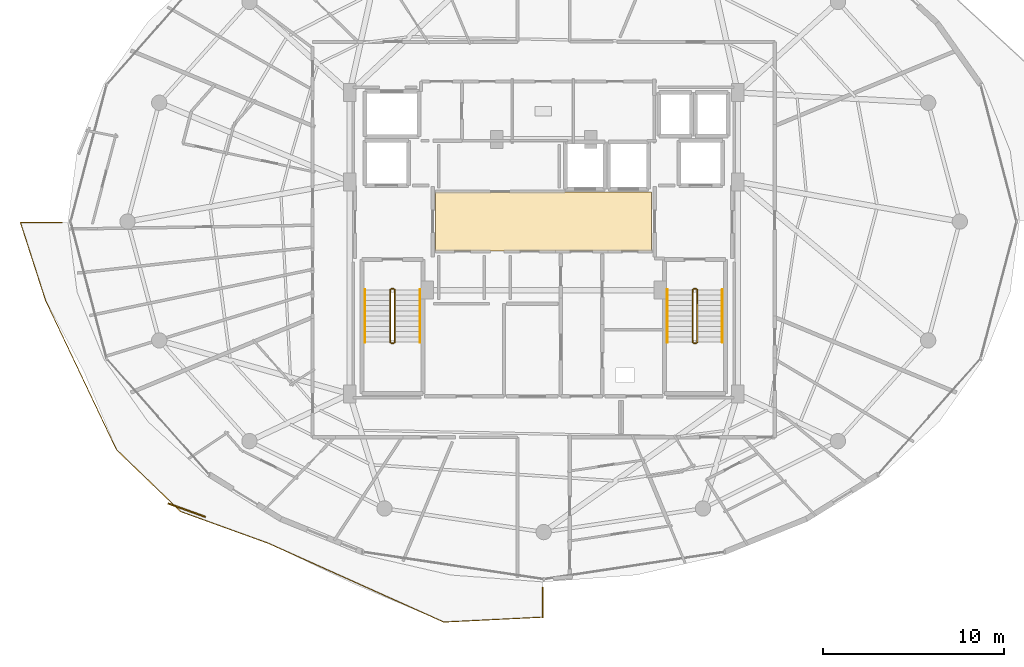
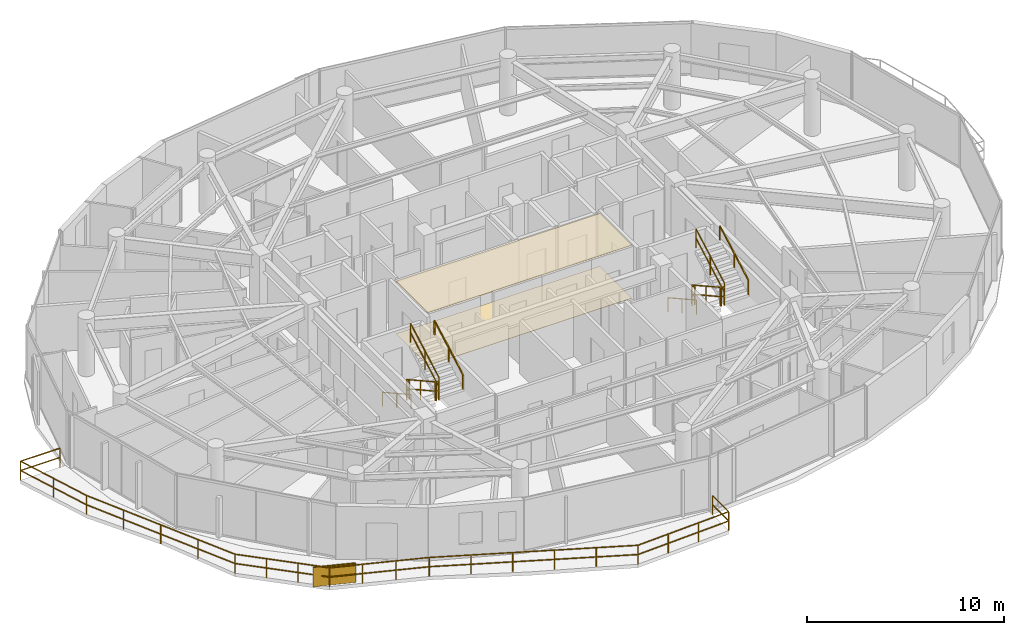
# One storey, part 28 of 30: 14 railings, 2 coverings, 1 shading device.
"""IFC4 building model written with IfcOpenShell, lengths in metres."""

from ifc_helpers import new_model, si_unit, direction, frame, origin, origin_2d, place, context, subcontext, project, spatial, polyline, rectangle, outline, extrude, material, layer, layer_set, type_object, element, save


model = new_model("IFC4")

# Units and contexts
model_context = context("Model", 3, precision=1e-05, world=origin(), true_north=direction((0.0, 1.0)))
body_context = subcontext(model_context, "Body", "Model", "MODEL_VIEW")
ifc_project = project(units=[si_unit("LENGTHUNIT", "METRE"), si_unit("AREAUNIT", "SQUARE_METRE"), si_unit("VOLUMEUNIT", "CUBIC_METRE"), si_unit("PLANEANGLEUNIT", "RADIAN"), si_unit("MASSUNIT", "GRAM", prefix="KILO")], contexts=[model_context])

# Site, building, storey
site_placement = place(None, origin())
site = spatial("IfcSite", under=ifc_project, at=site_placement, CompositionType="ELEMENT")
building_placement = place(site_placement, origin())
building = spatial("IfcBuilding", under=site, at=building_placement, Name="Vorneva Point Tower", CompositionType="ELEMENT")
storey_placement = place(building_placement, frame((0.0, 0.0, 252.0)))
storey = spatial("IfcBuildingStorey", under=building, at=storey_placement, Name="L68", CompositionType="ELEMENT", Elevation=252.0)

# Coverings
ifc_material_1 = material(Name="Perforated acoustic aluminium baffle ceiling", Category="aluminium")
ifc_layer_1 = layer(ifc_material_1, 0.030029296875)
ifc_layer_set_1 = layer_set([ifc_layer_1], Name="Perforated acoustic aluminium baffle ceiling")
covering_type_1 = type_object("IfcCoveringType", Name="COV-CEIL-BAF", PredefinedType="CEILING", material=ifc_layer_set_1)
covering_1_placement = place(storey_placement, frame((0.0, 0.0, 3.260009765625)))
element("IfcCovering", 1, at=covering_1_placement, inside=storey, type_object=covering_type_1, Name="L68 Lift Lobby Acoustic Baffle Ceiling", PredefinedType="CEILING", context=body_context, shape_type="SweptSolid", body=[
    extrude(outline(polyline([(32.02001953125, 24.3701171875), (43.97998046875, 24.3701171875), (43.97998046875, 27.6298828125), (32.02001953125, 27.6298828125), (32.02001953125, 24.3701171875)])), origin(), (0.0, 0.0, 1.0), 0.034912109375),
])
ifc_material_2 = material(Name="Acoustic wool hospitality carpet", Category="textile")
ifc_layer_2 = layer(ifc_material_2, 0.01806640625)
ifc_layer_set_2 = layer_set([ifc_layer_2], Name="Acoustic wool hospitality carpet")
covering_type_2 = type_object("IfcCoveringType", Name="COV-FLR-CRP", PredefinedType="FLOORING", material=ifc_layer_set_2)
covering_2_placement = place(storey_placement, frame((0.0, 0.0, -0.0048828125)))
element("IfcCovering", 2, at=covering_2_placement, inside=storey, type_object=covering_type_2, Name="L68 Lift Lobby Floor Finish", PredefinedType="FLOORING", context=body_context, shape_type="SweptSolid", body=[
    extrude(outline(polyline([(32.02001953125, 24.3701171875), (43.97998046875, 24.3701171875), (43.97998046875, 27.6298828125), (32.02001953125, 27.6298828125), (32.02001953125, 24.3701171875)])), origin(), (0.0, 0.0, 1.0), 0.02294921875),
])

# Railings
ifc_material_3 = material(Name="Pale anodised aluminium", Category="aluminium")
railing_type_1 = type_object("IfcRailingType", Name="RL-BAL-1200", PredefinedType="BALUSTRADE", material=ifc_material_3)
railing_1_placement = place(storey_placement, frame((37.949951171875, 4.08740234375, 0.0)))
element("IfcRailing", 3, at=railing_1_placement, inside=storey, type_object=railing_type_1, Name="L68 Wave Balcony Balustrade SW.1", PredefinedType="BALUSTRADE", context=body_context, shape_type="SweptSolid", body=[
    extrude(rectangle(XDim=0.048095703125, YDim=0.048095703125, at=origin_2d()), frame((0.0, 0.0, 1.17578125), z_axis=(0.0, 1.0, 0.0), x_axis=(-1.0, 0.0, 0.0)), (0.0, 0.0, 1.0), 1.635498046875),
    extrude(rectangle(XDim=0.048095703125, YDim=0.048095703125, at=origin_2d()), frame((0.0, 0.0, 0.60009765625), z_axis=(0.0, 1.0, 0.0), x_axis=(-1.0, 0.0, 0.0)), (0.0, 0.0, 1.0), 1.635498046875),
    extrude(rectangle(XDim=0.0419921875, YDim=0.0419921875, at=origin_2d()), origin(), (0.0, 0.0, 1.0), 1.15185546875),
    extrude(rectangle(XDim=0.0419921875, YDim=0.0419921875, at=origin_2d()), frame((0.0, 1.635498046875, 0.0)), (0.0, 0.0, 1.0), 1.15185546875),
])
railing_2_placement = place(storey_placement, frame((11.333740234375, 25.949951171875, 0.0)))
element("IfcRailing", 4, at=railing_2_placement, inside=storey, type_object=railing_type_1, Name="L68 Wave Balcony Balustrade SW.2", PredefinedType="BALUSTRADE", context=body_context, shape_type="SweptSolid", body=[
    extrude(rectangle(XDim=0.048095703125, YDim=0.048095703125, at=origin_2d()), frame((0.0, 0.0, 1.17578125), z_axis=(-1.0, 0.0, 0.0), x_axis=(0.0, -1.0, 0.0)), (0.0, 0.0, 1.0), 2.317626953125),
    extrude(rectangle(XDim=0.048095703125, YDim=0.048095703125, at=origin_2d()), frame((0.0, 0.0, 0.60009765625), z_axis=(-1.0, 0.0, 0.0), x_axis=(0.0, -1.0, 0.0)), (0.0, 0.0, 1.0), 2.317626953125),
    extrude(rectangle(XDim=0.048095703125, YDim=0.048095703125, at=origin_2d()), frame((-2.317626953125, 0.0, 1.17578125), z_axis=(0.306542143936, -0.951857086957, 0.0), x_axis=(0.951857086957, 0.306542143936, 0.0)), (0.0, 0.0, 1.0), 4.522216796875),
    extrude(rectangle(XDim=0.048095703125, YDim=0.048095703125, at=origin_2d()), frame((-2.317626953125, 0.0, 0.60009765625), z_axis=(0.306542143936, -0.951857086957, 0.0), x_axis=(0.951857086957, 0.306542143936, 0.0)), (0.0, 0.0, 1.0), 4.522216796875),
    extrude(rectangle(XDim=0.048095703125, YDim=0.048095703125, at=origin_2d()), frame((-0.931396484375, -4.304443359375, 1.17578125), z_axis=(0.429112755204, -0.903250930429, 0.0), x_axis=(0.903250930429, 0.429112755204, 0.0)), (0.0, 0.0, 1.0), 9.169189453125),
    extrude(rectangle(XDim=0.048095703125, YDim=0.048095703125, at=origin_2d()), frame((-0.931396484375, -4.304443359375, 0.60009765625), z_axis=(0.429112755204, -0.903250930429, 0.0), x_axis=(0.903250930429, 0.429112755204, 0.0)), (0.0, 0.0, 1.0), 9.169189453125),
    extrude(rectangle(XDim=0.048095703125, YDim=0.048095703125, at=origin_2d()), frame((3.003173828125, -12.58642578125, 1.17578125), z_axis=(0.71996871412, -0.694006520638, 0.0), x_axis=(0.694006520638, 0.71996871412, 0.0)), (0.0, 0.0, 1.0), 4.93701171875),
    extrude(rectangle(XDim=0.048095703125, YDim=0.048095703125, at=origin_2d()), frame((3.003173828125, -12.58642578125, 0.60009765625), z_axis=(0.71996871412, -0.694006520638, 0.0), x_axis=(0.694006520638, 0.71996871412, 0.0)), (0.0, 0.0, 1.0), 4.93701171875),
    extrude(rectangle(XDim=0.048095703125, YDim=0.048095703125, at=origin_2d()), frame((6.5576171875, -16.0126953125, 1.17578125), z_axis=(0.940432896027, -0.339979364184, 0.0), x_axis=(0.339979364184, 0.940432896027, 0.0)), (0.0, 0.0, 1.0), 5.158935546875),
    extrude(rectangle(XDim=0.048095703125, YDim=0.048095703125, at=origin_2d()), frame((6.5576171875, -16.0126953125, 0.60009765625), z_axis=(0.940432896027, -0.339979364184, 0.0), x_axis=(0.339979364184, 0.940432896027, 0.0)), (0.0, 0.0, 1.0), 5.158935546875),
    extrude(rectangle(XDim=0.048095703125, YDim=0.048095703125, at=origin_2d()), frame((11.4091796875, -17.7666015625, 1.17578125), z_axis=(0.912226387749, -0.409686486835, 0.0), x_axis=(0.409686486835, 0.912226387749, 0.0)), (0.0, 0.0, 1.0), 10.6591796875),
    extrude(rectangle(XDim=0.048095703125, YDim=0.048095703125, at=origin_2d()), frame((11.4091796875, -17.7666015625, 0.60009765625), z_axis=(0.912226387749, -0.409686486835, 0.0), x_axis=(0.409686486835, 0.912226387749, 0.0)), (0.0, 0.0, 1.0), 10.6591796875),
    extrude(rectangle(XDim=0.048095703125, YDim=0.048095703125, at=origin_2d()), frame((21.1328125, -22.133544921875, 1.17578125), z_axis=(0.99878100538, 0.049360949064, 0.0), x_axis=(-0.049360949064, 0.99878100538, 0.0)), (0.0, 0.0, 1.0), 5.489990234375),
    extrude(rectangle(XDim=0.048095703125, YDim=0.048095703125, at=origin_2d()), frame((21.1328125, -22.133544921875, 0.60009765625), z_axis=(0.99878100538, 0.049360949064, 0.0), x_axis=(-0.049360949064, 0.99878100538, 0.0)), (0.0, 0.0, 1.0), 5.489990234375),
    extrude(rectangle(XDim=0.0419921875, YDim=0.0419921875, at=origin_2d()), origin(), (0.0, 0.0, 1.0), 1.15185546875),
    extrude(rectangle(XDim=0.0419921875, YDim=0.0419921875, at=origin_2d()), frame((-2.317626953125, 0.0, 0.0)), (0.0, 0.0, 1.0), 1.15185546875),
    extrude(rectangle(XDim=0.0419921875, YDim=0.0419921875, at=origin_2d()), frame((-1.62451171875, -2.15234375, 0.0)), (0.0, 0.0, 1.0), 1.15185546875),
    extrude(rectangle(XDim=0.0419921875, YDim=0.0419921875, at=origin_2d()), frame((-0.931396484375, -4.304443359375, 0.0)), (0.0, 0.0, 1.0), 1.15185546875),
    extrude(rectangle(XDim=0.0419921875, YDim=0.0419921875, at=origin_2d()), frame((0.05224609375, -6.375, 0.0)), (0.0, 0.0, 1.0), 1.15185546875),
    extrude(rectangle(XDim=0.0419921875, YDim=0.0419921875, at=origin_2d()), frame((1.035888671875, -8.4453125, 0.0)), (0.0, 0.0, 1.0), 1.15185546875),
    extrude(rectangle(XDim=0.0419921875, YDim=0.0419921875, at=origin_2d()), frame((2.01953125, -10.515869140625, 0.0)), (0.0, 0.0, 1.0), 1.15185546875),
    extrude(rectangle(XDim=0.0419921875, YDim=0.0419921875, at=origin_2d()), frame((3.003173828125, -12.58642578125, 0.0)), (0.0, 0.0, 1.0), 1.15185546875),
    extrude(rectangle(XDim=0.0419921875, YDim=0.0419921875, at=origin_2d()), frame((4.18798828125, -13.728515625, 0.0)), (0.0, 0.0, 1.0), 1.15185546875),
    extrude(rectangle(XDim=0.0419921875, YDim=0.0419921875, at=origin_2d()), frame((5.372802734375, -14.87060546875, 0.0)), (0.0, 0.0, 1.0), 1.15185546875),
    extrude(rectangle(XDim=0.0419921875, YDim=0.0419921875, at=origin_2d()), frame((6.5576171875, -16.0126953125, 0.0)), (0.0, 0.0, 1.0), 1.15185546875),
    extrude(rectangle(XDim=0.0419921875, YDim=0.0419921875, at=origin_2d()), frame((8.1748046875, -16.597412109375, 0.0)), (0.0, 0.0, 1.0), 1.15185546875),
    extrude(rectangle(XDim=0.0419921875, YDim=0.0419921875, at=origin_2d()), frame((9.7919921875, -17.181884765625, 0.0)), (0.0, 0.0, 1.0), 1.15185546875),
    extrude(rectangle(XDim=0.0419921875, YDim=0.0419921875, at=origin_2d()), frame((11.4091796875, -17.7666015625, 0.0)), (0.0, 0.0, 1.0), 1.15185546875),
    extrude(rectangle(XDim=0.0419921875, YDim=0.0419921875, at=origin_2d()), frame((13.35400390625, -18.639892578125, 0.0)), (0.0, 0.0, 1.0), 1.15185546875),
    extrude(rectangle(XDim=0.0419921875, YDim=0.0419921875, at=origin_2d()), frame((15.298583984375, -19.513427734375, 0.0)), (0.0, 0.0, 1.0), 1.15185546875),
    extrude(rectangle(XDim=0.0419921875, YDim=0.0419921875, at=origin_2d()), frame((17.243408203125, -20.38671875, 0.0)), (0.0, 0.0, 1.0), 1.15185546875),
    extrude(rectangle(XDim=0.0419921875, YDim=0.0419921875, at=origin_2d()), frame((19.18798828125, -21.26025390625, 0.0)), (0.0, 0.0, 1.0), 1.15185546875),
    extrude(rectangle(XDim=0.0419921875, YDim=0.0419921875, at=origin_2d()), frame((21.1328125, -22.133544921875, 0.0)), (0.0, 0.0, 1.0), 1.15185546875),
    extrude(rectangle(XDim=0.0419921875, YDim=0.0419921875, at=origin_2d()), frame((22.960693359375, -22.043212890625, 0.0)), (0.0, 0.0, 1.0), 1.15185546875),
    extrude(rectangle(XDim=0.0419921875, YDim=0.0419921875, at=origin_2d()), frame((24.788330078125, -21.952880859375, 0.0)), (0.0, 0.0, 1.0), 1.15185546875),
    extrude(rectangle(XDim=0.0419921875, YDim=0.0419921875, at=origin_2d()), frame((26.6162109375, -21.862548828125, 0.0)), (0.0, 0.0, 1.0), 1.15185546875),
])
ifc_material_4 = material(Name="Brushed stainless steel S304", Category="steel")
railing_type_2 = type_object("IfcRailingType", Name="RL-HND-920", PredefinedType="HANDRAIL", material=ifc_material_4)
railing_3_placement = place(storey_placement, frame((28.10009765625, 22.219970703125, 0.161376953125)))
element("IfcRailing", 5, at=railing_3_placement, inside=storey, type_object=railing_type_2, Name="L68 ST1 stair handrail 1", PredefinedType="HANDRAIL", context=body_context, shape_type="SweptSolid", body=[
    extrude(rectangle(XDim=0.048095703125, YDim=0.048095703125, at=origin_2d()), frame((0.0, 0.0, 0.8759765625), z_axis=(0.0, -0.873841303929, 0.486211245805), x_axis=(1.0, 0.0, 0.0)), (0.0, 0.0, 1.0), 3.318603515625),
    extrude(rectangle(XDim=0.0419921875, YDim=0.0419921875, at=origin_2d()), origin(), (0.0, 0.0, 1.0), 0.851806640625),
    extrude(rectangle(XDim=0.0419921875, YDim=0.0419921875, at=origin_2d()), frame((0.0, -1.449951171875, 0.806640625)), (0.0, 0.0, 1.0), 0.851806640625),
    extrude(rectangle(XDim=0.0419921875, YDim=0.0419921875, at=origin_2d()), frame((0.0, -2.89990234375, 1.613525390625)), (0.0, 0.0, 1.0), 0.851806640625),
])
railing_4_placement = place(storey_placement, frame((31.14990234375, 19.320068359375, 1.936279296875)))
element("IfcRailing", 6, at=railing_4_placement, inside=storey, type_object=railing_type_2, Name="L68 ST1 stair handrail 2", PredefinedType="HANDRAIL", context=body_context, shape_type="SweptSolid", body=[
    extrude(rectangle(XDim=0.048095703125, YDim=0.048095703125, at=origin_2d()), frame((0.0, 0.0, 0.8759765625), z_axis=(0.0, 0.873810046276, 0.486267419253), x_axis=(-1.0, 0.0, 0.0)), (0.0, 0.0, 1.0), 3.318603515625),
    extrude(rectangle(XDim=0.0419921875, YDim=0.0419921875, at=origin_2d()), origin(), (0.0, 0.0, 1.0), 0.851806640625),
    extrude(rectangle(XDim=0.0419921875, YDim=0.0419921875, at=origin_2d()), frame((0.0, 1.449951171875, 0.806884765625)), (0.0, 0.0, 1.0), 0.851806640625),
    extrude(rectangle(XDim=0.0419921875, YDim=0.0419921875, at=origin_2d()), frame((0.0, 2.89990234375, 1.61376953125)), (0.0, 0.0, 1.0), 0.851806640625),
])
railing_5_placement = place(storey_placement, frame((44.85009765625, 22.219970703125, 0.161376953125)))
element("IfcRailing", 7, at=railing_5_placement, inside=storey, type_object=railing_type_2, Name="L68 ST2 stair handrail 1", PredefinedType="HANDRAIL", context=body_context, shape_type="SweptSolid", body=[
    extrude(rectangle(XDim=0.048095703125, YDim=0.048095703125, at=origin_2d()), frame((0.0, 0.0, 0.8759765625), z_axis=(0.0, -0.873841303929, 0.486211245805), x_axis=(1.0, 0.0, 0.0)), (0.0, 0.0, 1.0), 3.318603515625),
    extrude(rectangle(XDim=0.0419921875, YDim=0.0419921875, at=origin_2d()), origin(), (0.0, 0.0, 1.0), 0.851806640625),
    extrude(rectangle(XDim=0.0419921875, YDim=0.0419921875, at=origin_2d()), frame((0.0, -1.449951171875, 0.806640625)), (0.0, 0.0, 1.0), 0.851806640625),
    extrude(rectangle(XDim=0.0419921875, YDim=0.0419921875, at=origin_2d()), frame((0.0, -2.89990234375, 1.613525390625)), (0.0, 0.0, 1.0), 0.851806640625),
])
railing_6_placement = place(storey_placement, frame((47.89990234375, 19.320068359375, 1.936279296875)))
element("IfcRailing", 8, at=railing_6_placement, inside=storey, type_object=railing_type_2, Name="L68 ST2 stair handrail 2", PredefinedType="HANDRAIL", context=body_context, shape_type="SweptSolid", body=[
    extrude(rectangle(XDim=0.048095703125, YDim=0.048095703125, at=origin_2d()), frame((0.0, 0.0, 0.8759765625), z_axis=(0.0, 0.873810046276, 0.486267419253), x_axis=(-1.0, 0.0, 0.0)), (0.0, 0.0, 1.0), 3.318603515625),
    extrude(rectangle(XDim=0.0419921875, YDim=0.0419921875, at=origin_2d()), origin(), (0.0, 0.0, 1.0), 0.851806640625),
    extrude(rectangle(XDim=0.0419921875, YDim=0.0419921875, at=origin_2d()), frame((0.0, 1.449951171875, 0.806884765625)), (0.0, 0.0, 1.0), 0.851806640625),
    extrude(rectangle(XDim=0.0419921875, YDim=0.0419921875, at=origin_2d()), frame((0.0, 2.89990234375, 1.61376953125)), (0.0, 0.0, 1.0), 0.851806640625),
])
railing_type_3 = type_object("IfcRailingType", Name="RL-STG-1100", PredefinedType="GUARDRAIL", material=ifc_material_4)
railing_7_placement = place(storey_placement, frame((29.5, 22.219970703125, 0.161376953125)))
element("IfcRailing", 9, at=railing_7_placement, inside=storey, type_object=railing_type_3, Name="L68 ST1 stair guard 1", PredefinedType="GUARDRAIL", context=body_context, shape_type="SweptSolid", body=[
    extrude(rectangle(XDim=0.048095703125, YDim=0.048095703125, at=origin_2d()), frame((0.0, 0.0, 1.17578125), z_axis=(0.0, -0.873841303929, 0.486211245805), x_axis=(1.0, 0.0, 0.0)), (0.0, 0.0, 1.0), 3.318603515625),
    extrude(rectangle(XDim=0.048095703125, YDim=0.048095703125, at=origin_2d()), frame((0.0, 0.0, 0.60009765625), z_axis=(0.0, -0.873841303929, 0.486211245805), x_axis=(1.0, 0.0, 0.0)), (0.0, 0.0, 1.0), 3.318603515625),
    extrude(rectangle(XDim=0.0419921875, YDim=0.0419921875, at=origin_2d()), origin(), (0.0, 0.0, 1.0), 1.15185546875),
    extrude(rectangle(XDim=0.0419921875, YDim=0.0419921875, at=origin_2d()), frame((0.0, -1.449951171875, 0.806640625)), (0.0, 0.0, 1.0), 1.15185546875),
    extrude(rectangle(XDim=0.0419921875, YDim=0.0419921875, at=origin_2d()), frame((0.0, -2.89990234375, 1.613525390625)), (0.0, 0.0, 1.0), 1.15185546875),
])
railing_8_placement = place(storey_placement, frame((29.550048828125, 19.27001953125, 1.77490234375)))
element("IfcRailing", 10, at=railing_8_placement, inside=storey, type_object=railing_type_3, Name="L68 ST1 stair guard 2", PredefinedType="GUARDRAIL", context=body_context, shape_type="SweptSolid", body=[
    extrude(rectangle(XDim=0.048095703125, YDim=0.048095703125, at=origin_2d()), frame((0.0, 0.0, 1.17578125), z_axis=(1.0, 0.0, 0.0), x_axis=(0.0, 1.0, 0.0)), (0.0, 0.0, 1.0), 0.14990234375),
    extrude(rectangle(XDim=0.048095703125, YDim=0.048095703125, at=origin_2d()), frame((0.0, 0.0, 0.60009765625), z_axis=(1.0, 0.0, 0.0), x_axis=(0.0, 1.0, 0.0)), (0.0, 0.0, 1.0), 0.14990234375),
    extrude(rectangle(XDim=0.0419921875, YDim=0.0419921875, at=origin_2d()), origin(), (0.0, 0.0, 1.0), 1.15185546875),
    extrude(rectangle(XDim=0.0419921875, YDim=0.0419921875, at=origin_2d()), frame((0.14990234375, 0.0, 0.0)), (0.0, 0.0, 1.0), 1.15185546875),
])
railing_9_placement = place(storey_placement, frame((29.75, 19.320068359375, 1.936279296875)))
element("IfcRailing", 11, at=railing_9_placement, inside=storey, type_object=railing_type_3, Name="L68 ST1 stair guard 3", PredefinedType="GUARDRAIL", context=body_context, shape_type="SweptSolid", body=[
    extrude(rectangle(XDim=0.048095703125, YDim=0.048095703125, at=origin_2d()), frame((0.0, 0.0, 1.17578125), z_axis=(0.0, 0.873810046276, 0.486267419253), x_axis=(-1.0, 0.0, 0.0)), (0.0, 0.0, 1.0), 3.318603515625),
    extrude(rectangle(XDim=0.048095703125, YDim=0.048095703125, at=origin_2d()), frame((0.0, 0.0, 0.60009765625), z_axis=(0.0, 0.873810046276, 0.486267419253), x_axis=(-1.0, 0.0, 0.0)), (0.0, 0.0, 1.0), 3.318603515625),
    extrude(rectangle(XDim=0.0419921875, YDim=0.0419921875, at=origin_2d()), origin(), (0.0, 0.0, 1.0), 1.15185546875),
    extrude(rectangle(XDim=0.0419921875, YDim=0.0419921875, at=origin_2d()), frame((0.0, 1.449951171875, 0.806884765625)), (0.0, 0.0, 1.0), 1.15185546875),
    extrude(rectangle(XDim=0.0419921875, YDim=0.0419921875, at=origin_2d()), frame((0.0, 2.89990234375, 1.61376953125)), (0.0, 0.0, 1.0), 1.15185546875),
])
railing_10_placement = place(storey_placement, frame((29.550048828125, 22.27001953125, 0.0)))
element("IfcRailing", 12, at=railing_10_placement, inside=storey, type_object=railing_type_3, Name="L68 ST1 stair guard 4", PredefinedType="GUARDRAIL", context=body_context, shape_type="SweptSolid", body=[
    extrude(rectangle(XDim=0.048095703125, YDim=0.048095703125, at=origin_2d()), frame((0.0, 0.0, 1.17578125), z_axis=(1.0, 0.0, 0.0), x_axis=(0.0, 1.0, 0.0)), (0.0, 0.0, 1.0), 0.14990234375),
    extrude(rectangle(XDim=0.048095703125, YDim=0.048095703125, at=origin_2d()), frame((0.0, 0.0, 0.60009765625), z_axis=(1.0, 0.0, 0.0), x_axis=(0.0, 1.0, 0.0)), (0.0, 0.0, 1.0), 0.14990234375),
    extrude(rectangle(XDim=0.0419921875, YDim=0.0419921875, at=origin_2d()), origin(), (0.0, 0.0, 1.0), 1.15185546875),
    extrude(rectangle(XDim=0.0419921875, YDim=0.0419921875, at=origin_2d()), frame((0.14990234375, 0.0, 0.0)), (0.0, 0.0, 1.0), 1.15185546875),
])
railing_11_placement = place(storey_placement, frame((46.25, 22.219970703125, 0.161376953125)))
element("IfcRailing", 13, at=railing_11_placement, inside=storey, type_object=railing_type_3, Name="L68 ST2 stair guard 1", PredefinedType="GUARDRAIL", context=body_context, shape_type="SweptSolid", body=[
    extrude(rectangle(XDim=0.048095703125, YDim=0.048095703125, at=origin_2d()), frame((0.0, 0.0, 1.17578125), z_axis=(0.0, -0.873841303929, 0.486211245805), x_axis=(1.0, 0.0, 0.0)), (0.0, 0.0, 1.0), 3.318603515625),
    extrude(rectangle(XDim=0.048095703125, YDim=0.048095703125, at=origin_2d()), frame((0.0, 0.0, 0.60009765625), z_axis=(0.0, -0.873841303929, 0.486211245805), x_axis=(1.0, 0.0, 0.0)), (0.0, 0.0, 1.0), 3.318603515625),
    extrude(rectangle(XDim=0.0419921875, YDim=0.0419921875, at=origin_2d()), origin(), (0.0, 0.0, 1.0), 1.15185546875),
    extrude(rectangle(XDim=0.0419921875, YDim=0.0419921875, at=origin_2d()), frame((0.0, -1.449951171875, 0.806640625)), (0.0, 0.0, 1.0), 1.15185546875),
    extrude(rectangle(XDim=0.0419921875, YDim=0.0419921875, at=origin_2d()), frame((0.0, -2.89990234375, 1.613525390625)), (0.0, 0.0, 1.0), 1.15185546875),
])
railing_12_placement = place(storey_placement, frame((46.300048828125, 19.27001953125, 1.77490234375)))
element("IfcRailing", 14, at=railing_12_placement, inside=storey, type_object=railing_type_3, Name="L68 ST2 stair guard 2", PredefinedType="GUARDRAIL", context=body_context, shape_type="SweptSolid", body=[
    extrude(rectangle(XDim=0.048095703125, YDim=0.048095703125, at=origin_2d()), frame((0.0, 0.0, 1.17578125), z_axis=(1.0, 0.0, 0.0), x_axis=(0.0, 1.0, 0.0)), (0.0, 0.0, 1.0), 0.14990234375),
    extrude(rectangle(XDim=0.048095703125, YDim=0.048095703125, at=origin_2d()), frame((0.0, 0.0, 0.60009765625), z_axis=(1.0, 0.0, 0.0), x_axis=(0.0, 1.0, 0.0)), (0.0, 0.0, 1.0), 0.14990234375),
    extrude(rectangle(XDim=0.0419921875, YDim=0.0419921875, at=origin_2d()), origin(), (0.0, 0.0, 1.0), 1.15185546875),
    extrude(rectangle(XDim=0.0419921875, YDim=0.0419921875, at=origin_2d()), frame((0.14990234375, 0.0, 0.0)), (0.0, 0.0, 1.0), 1.15185546875),
])
railing_13_placement = place(storey_placement, frame((46.5, 19.320068359375, 1.936279296875)))
element("IfcRailing", 15, at=railing_13_placement, inside=storey, type_object=railing_type_3, Name="L68 ST2 stair guard 3", PredefinedType="GUARDRAIL", context=body_context, shape_type="SweptSolid", body=[
    extrude(rectangle(XDim=0.048095703125, YDim=0.048095703125, at=origin_2d()), frame((0.0, 0.0, 1.17578125), z_axis=(0.0, 0.873810046276, 0.486267419253), x_axis=(-1.0, 0.0, 0.0)), (0.0, 0.0, 1.0), 3.318603515625),
    extrude(rectangle(XDim=0.048095703125, YDim=0.048095703125, at=origin_2d()), frame((0.0, 0.0, 0.60009765625), z_axis=(0.0, 0.873810046276, 0.486267419253), x_axis=(-1.0, 0.0, 0.0)), (0.0, 0.0, 1.0), 3.318603515625),
    extrude(rectangle(XDim=0.0419921875, YDim=0.0419921875, at=origin_2d()), origin(), (0.0, 0.0, 1.0), 1.15185546875),
    extrude(rectangle(XDim=0.0419921875, YDim=0.0419921875, at=origin_2d()), frame((0.0, 1.449951171875, 0.806884765625)), (0.0, 0.0, 1.0), 1.15185546875),
    extrude(rectangle(XDim=0.0419921875, YDim=0.0419921875, at=origin_2d()), frame((0.0, 2.89990234375, 1.61376953125)), (0.0, 0.0, 1.0), 1.15185546875),
])
railing_14_placement = place(storey_placement, frame((46.300048828125, 22.27001953125, 0.0)))
element("IfcRailing", 16, at=railing_14_placement, inside=storey, type_object=railing_type_3, Name="L68 ST2 stair guard 4", PredefinedType="GUARDRAIL", context=body_context, shape_type="SweptSolid", body=[
    extrude(rectangle(XDim=0.048095703125, YDim=0.048095703125, at=origin_2d()), frame((0.0, 0.0, 1.17578125), z_axis=(1.0, 0.0, 0.0), x_axis=(0.0, 1.0, 0.0)), (0.0, 0.0, 1.0), 0.14990234375),
    extrude(rectangle(XDim=0.048095703125, YDim=0.048095703125, at=origin_2d()), frame((0.0, 0.0, 0.60009765625), z_axis=(1.0, 0.0, 0.0), x_axis=(0.0, 1.0, 0.0)), (0.0, 0.0, 1.0), 0.14990234375),
    extrude(rectangle(XDim=0.0419921875, YDim=0.0419921875, at=origin_2d()), origin(), (0.0, 0.0, 1.0), 1.15185546875),
    extrude(rectangle(XDim=0.0419921875, YDim=0.0419921875, at=origin_2d()), frame((0.14990234375, 0.0, 0.0)), (0.0, 0.0, 1.0), 1.15185546875),
])

# Shading device
shading_device_type = type_object("IfcShadingDeviceType", Name="SHD-JAL-1200", PredefinedType="JALOUSIE", material=ifc_material_3)
shading_device_placement = place(storey_placement, frame((18.228759765625, 10.015380859375, -0.02001953125), z_axis=(0.0, 0.0, 1.0), x_axis=(0.940436556093, -0.339969239731, 0.0)))
element("IfcShadingDevice", 17, at=shading_device_placement, inside=storey, type_object=shading_device_type, Name="L68 Balcony Vertical-Greenery Planter Screen SW.2", PredefinedType="JALOUSIE", context=body_context, shape_type="SweptSolid", body=[
    extrude(rectangle(XDim=2.199951171875, YDim=0.080078125, at=origin_2d()), origin(), (0.0, 0.0, 1.0), 1.199951171875),
])

save(model, "model.ifc")
